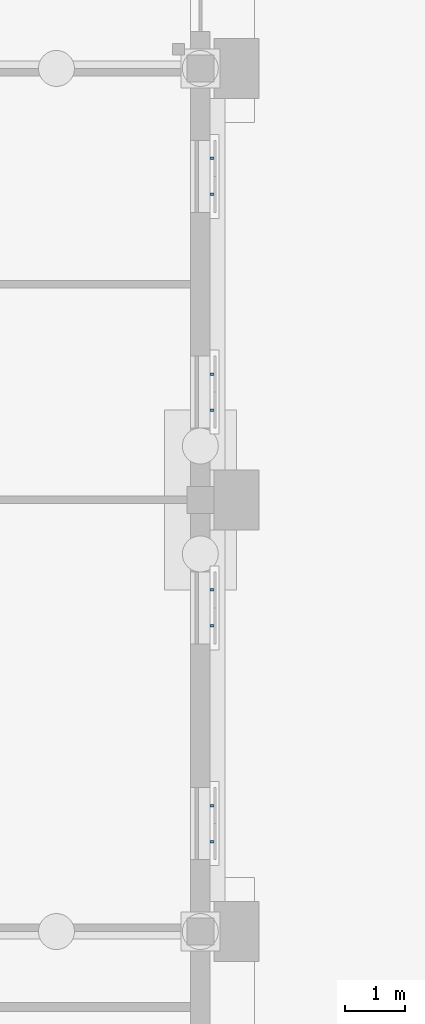
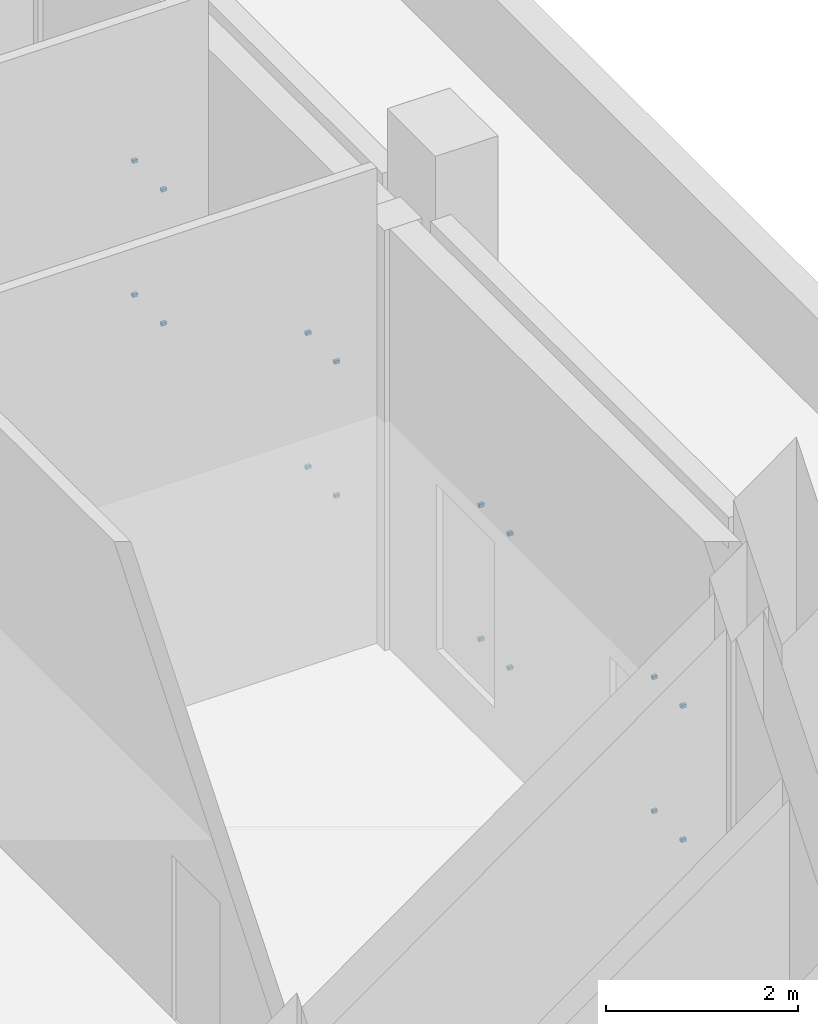
# One storey, part 57 of 84: 16 discrete accessories.
"""IFC4 building model written with IfcOpenShell, lengths in metres."""

from ifc_helpers import new_model, si_unit, direction, frame, origin, origin_2d, place, context, subcontext, project, spatial, rectangle, extrude, material, type_object, element, save


model = new_model("IFC4")

# Units and contexts
model_context = context("Model", 3, precision=1e-05, world=origin(), true_north=direction((0.0, 1.0)))
body_context = subcontext(model_context, "Body", "Model", "MODEL_VIEW")
ifc_project = project(units=[si_unit("LENGTHUNIT", "METRE"), si_unit("AREAUNIT", "SQUARE_METRE"), si_unit("VOLUMEUNIT", "CUBIC_METRE"), si_unit("PLANEANGLEUNIT", "RADIAN"), si_unit("MASSUNIT", "GRAM", prefix="KILO")], contexts=[model_context])

# Site, building, storey
site_placement = place(None, origin())
site = spatial("IfcSite", under=ifc_project, at=site_placement, CompositionType="ELEMENT")
building_placement = place(site_placement, origin())
building = spatial("IfcBuilding", under=site, at=building_placement, Name="Mazhai Court Health Centre", CompositionType="ELEMENT")
storey_placement = place(building_placement, origin())
storey = spatial("IfcBuildingStorey", under=building, at=storey_placement, Name="L00", CompositionType="ELEMENT", Elevation=0.0)

# Discrete accessories
ifc_material = material(Name="Steel IS 2062 E250", Category="steel")
discrete_accessory_type = type_object("IfcDiscreteAccessoryType", Name="BRACKET 40", PredefinedType="BRACKET", material=ifc_material)
for number, where, z_axis, x_axis, name in (
    (1, (150.39501953125, 14.89990234375, 0.780029296875), (0.0, 0.0, 1.0), (0.0, 1.0, 0.0), "BR-V6-L00-B10a0"),
    (2, (150.39501953125, 14.89990234375, 2.47998046875), (0.0, 0.0, 1.0), (0.0, 1.0, 0.0), "BR-V6-L00-B10a1"),
    (3, (150.39501953125, 15.5, 0.780029296875), (0.0, 0.0, 1.0), (0.0, 1.0, 0.0), "BR-V6-L00-B10b0"),
    (4, (150.39501953125, 15.5, 2.47998046875), (0.0, 0.0, 1.0), (0.0, 1.0, 0.0), "BR-V6-L00-B10b1"),
    (5, (150.39501953125, 18.5, 0.780029296875), (0.0, 0.0, 1.0), (0.0, 1.0, 0.0), "BR-V6-L00-B11a0"),
    (6, (150.39501953125, 18.5, 2.47998046875), (0.0, 0.0, 1.0), (0.0, 1.0, 0.0), "BR-V6-L00-B11a1"),
    (7, (150.39501953125, 19.10009765625, 0.780029296875), (0.0, 0.0, 1.0), (0.0, 1.0, 0.0), "BR-V6-L00-B11b0"),
    (8, (150.39501953125, 19.10009765625, 2.47998046875), (0.0, 0.0, 1.0), (0.0, 1.0, 0.0), "BR-V6-L00-B11b1"),
    (9, (150.39501953125, 22.10009765625, 0.780029296875), (0.0, 0.0, 1.0), (0.0, 1.0, 0.0), "BR-V6-L00-B20a0"),
    (10, (150.39501953125, 22.10009765625, 2.47998046875), (0.0, 0.0, 1.0), (0.0, 1.0, 0.0), "BR-V6-L00-B20a1"),
    (11, (150.39501953125, 22.699951171875, 0.780029296875), (0.0, 0.0, 1.0), (0.0, 1.0, 0.0), "BR-V6-L00-B20b0"),
    (12, (150.39501953125, 22.699951171875, 2.47998046875), (0.0, 0.0, 1.0), (0.0, 1.0, 0.0), "BR-V6-L00-B20b1"),
    (13, (150.39501953125, 25.699951171875, 0.780029296875), (0.0, 0.0, 1.0), (0.0, 1.0, 0.0), "BR-V6-L00-B21a0"),
    (14, (150.39501953125, 25.699951171875, 2.47998046875), (0.0, 0.0, 1.0), (0.0, 1.0, 0.0), "BR-V6-L00-B21a1"),
    (15, (150.39501953125, 26.300048828125, 0.780029296875), (0.0, 0.0, 1.0), (0.0, 1.0, 0.0), "BR-V6-L00-B21b0"),
    (16, (150.39501953125, 26.300048828125, 2.47998046875), (0.0, 0.0, 1.0), (0.0, 1.0, 0.0), "BR-V6-L00-B21b1"),
):
    element("IfcDiscreteAccessory", number, at=place(storey_placement, frame(where, z_axis=z_axis, x_axis=x_axis)), inside=storey, type_object=discrete_accessory_type, Name=name, PredefinedType="BRACKET", context=body_context, shape_type="SweptSolid", body=[
        extrude(rectangle(XDim=0.0400390625, YDim=0.06005859375, at=origin_2d()), origin(), (0.0, 0.0, 1.0), 0.0400390625),
    ])

save(model, "model.ifc")
